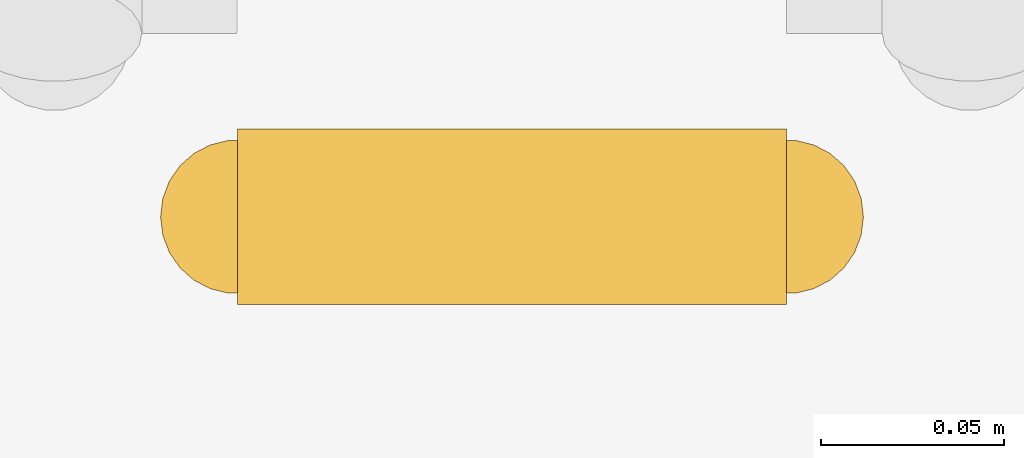
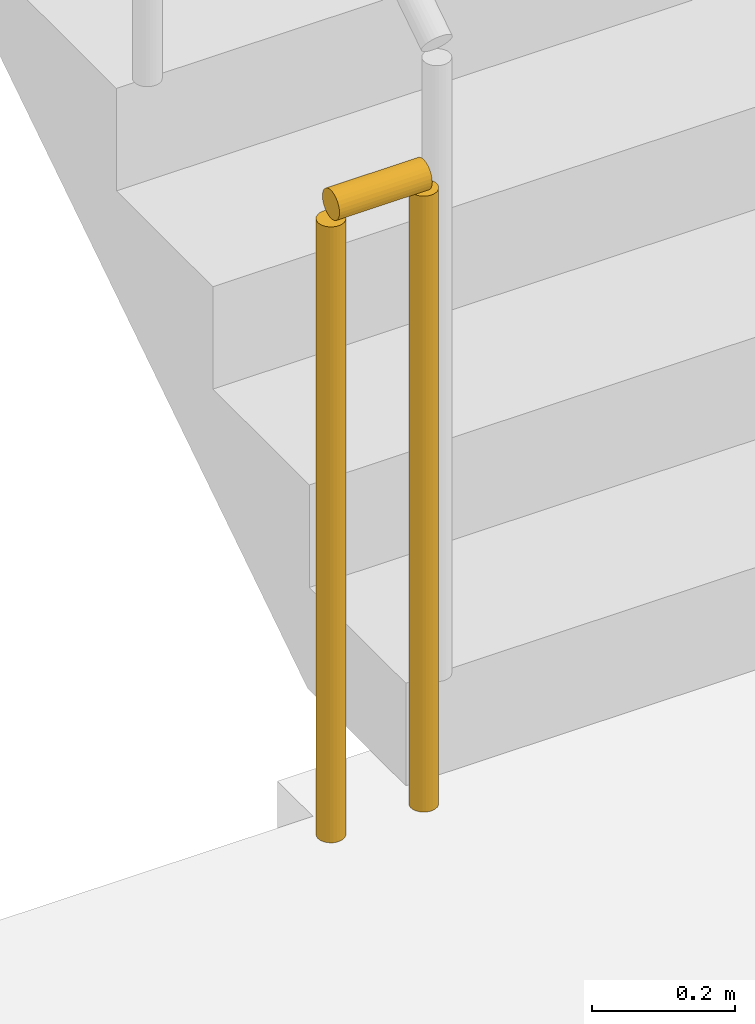
# One storey, part 15 of 20: 1 railing.
"""IFC4 building model written with IfcOpenShell, lengths in metres."""

import ifcopenshell
import ifcopenshell.guid

model = None  # the IFC model being written
_history = None  # IfcOwnerHistory: only IFC2X3 demands one
_inside = {}  # id of a spatial element -> (the spatial element, [elements in it])
_under = {}  # id of a project, library or spatial element -> (it, [spatial elements below it])
_declared = {}  # id of a project -> (the project, [libraries it declares])
_typed = {}  # id of a type object -> (the type object, [elements of that type])
_made_of = {}  # id of a material, layer set ... -> (it, [elements and type objects made of it])


def new_model(schema):
    """Start an empty IFC model of exactly this schema.

    Asked for "IFC4X3", IfcOpenShell would pick the latest addendum, in which some entities
    have other attributes; the version numbers below select the first issue.
    IFC2X3 requires an IfcOwnerHistory on every rooted entity: one is made here for all.
    """
    global model, _history
    if schema == "IFC4X3":
        model = ifcopenshell.file(schema_version=(4, 3, 0, 0))
    else:
        model = ifcopenshell.file(schema=schema)
    _inside.clear()
    _under.clear()
    _declared.clear()
    _typed.clear()
    _made_of.clear()
    _history = None
    if model.schema == "IFC2X3":
        org = make("IfcOrganization", Name="unknown")
        user = make(
            "IfcPersonAndOrganization",
            ThePerson=make("IfcPerson", FamilyName="unknown"),
            TheOrganization=org,
        )
        app = make(
            "IfcApplication",
            ApplicationDeveloper=org,
            Version="unknown",
            ApplicationFullName="unknown",
            ApplicationIdentifier="unknown",
        )
        _history = make(
            "IfcOwnerHistory",
            OwningUser=user,
            OwningApplication=app,
            ChangeAction="ADDED",
            CreationDate=0,
        )
    return model


def make(cls, **values):
    """One entity of the class cls with the attributes given. An attribute that is None is left unset."""
    return model.create_entity(
        cls, **{name: value for name, value in values.items() if value is not None}
    )


def rooted(cls, **values):
    """An entity with a GlobalId (a new one), such as an element, a storey or a relation."""
    return make(cls, GlobalId=ifcopenshell.guid.new(), OwnerHistory=_history, **values)


def si_unit(unit_type, name, prefix=None):
    """IfcSIUnit, for example si_unit("LENGTHUNIT", "METRE", prefix="MILLI")."""
    return make("IfcSIUnit", UnitType=unit_type, Prefix=prefix, Name=name)


def assignment(units):
    """IfcUnitAssignment: the units of a project."""
    return None if units is None else make("IfcUnitAssignment", Units=units)


def point(xyz):
    """IfcCartesianPoint."""
    return None if xyz is None else make("IfcCartesianPoint", Coordinates=xyz)


def direction(xyz):
    """IfcDirection."""
    return None if xyz is None else make("IfcDirection", DirectionRatios=xyz)


def frame(location, z_axis=None, x_axis=None):
    """IfcAxis2Placement3D, a coordinate frame: its origin and axes. An axis left out is left unset."""
    return make(
        "IfcAxis2Placement3D",
        Location=point(location),
        Axis=direction(z_axis),
        RefDirection=direction(x_axis),
    )


def frame_2d(location, x_axis=None):
    """IfcAxis2Placement2D, a coordinate frame in the plane: its origin and x axis."""
    return make(
        "IfcAxis2Placement2D", Location=point(location), RefDirection=direction(x_axis)
    )


def origin():
    """The frame at (0, 0, 0) with its axes left unset."""
    return frame((0.0, 0.0, 0.0))


def origin_2d():
    """The frame at (0, 0) in the plane with its x axis left unset."""
    return frame_2d((0.0, 0.0))


def place(relative_to, where):
    """IfcLocalPlacement: puts the frame where relative to a parent placement (None: the world)."""
    return make(
        "IfcLocalPlacement", PlacementRelTo=relative_to, RelativePlacement=where
    )


def context(
    kind, dimensions, precision=None, world=None, true_north=None, identifier=None
):
    """IfcGeometricRepresentationContext, for example the 3D "Model" context."""
    return make(
        "IfcGeometricRepresentationContext",
        ContextIdentifier=identifier,
        ContextType=kind,
        CoordinateSpaceDimension=dimensions,
        Precision=precision,
        WorldCoordinateSystem=world,
        TrueNorth=true_north,
    )


def subcontext(parent, identifier, kind, view, scale=None):
    """IfcGeometricRepresentationSubContext, for example "Body" below "Model"."""
    return make(
        "IfcGeometricRepresentationSubContext",
        ContextIdentifier=identifier,
        ContextType=kind,
        ParentContext=parent,
        TargetScale=scale,
        TargetView=view,
    )


def project(units=None, contexts=None):
    """IfcProject with its units and contexts."""
    return rooted(
        "IfcProject",
        Name="project",
        RepresentationContexts=contexts,
        UnitsInContext=assignment(units),
    )


def spatial(cls, under=None, at=None, **own):
    """A site, building, storey or space (cls), placed at a placement, below another one or the project."""
    s = rooted(cls, ObjectPlacement=at, **own)
    if under is not None:
        _under.setdefault(under.id(), (under, []))[1].append(s)
    return s


def profile(cls, at=None, kind="AREA", **sizes):
    """A parametric profile (cls). Its sizes go by their IFC names, for example OverallWidth=200.0."""
    return make(cls, ProfileType=kind, Position=at, **sizes)


def circle(**sizes):
    """IfcCircleProfileDef."""
    return profile("IfcCircleProfileDef", **sizes)


def extrude(swept, where, along, depth):
    """IfcExtrudedAreaSolid: the profile swept, set in the frame where, extruded along a direction by depth."""
    return make(
        "IfcExtrudedAreaSolid",
        SweptArea=swept,
        Position=where,
        ExtrudedDirection=direction(along),
        Depth=depth,
    )


def shape(context_of_items, identifier, shape_type, items):
    """IfcShapeRepresentation: the items that make up one representation, for example the "Body"."""
    return make(
        "IfcShapeRepresentation",
        ContextOfItems=context_of_items,
        RepresentationIdentifier=identifier,
        RepresentationType=shape_type,
        Items=items,
    )


def material(Name=None, Category=None):
    """IfcMaterial."""
    return make("IfcMaterial", Name=Name, Category=Category)


def made_of(thing, what):
    """Note that an element or type object is made of a material, layer set ...; save() writes the relation."""
    if what is not None:
        _made_of.setdefault(what.id(), (what, []))[1].append(thing)
    return thing


def type_object(cls, material=None, **own):
    """A type object (cls), such as IfcWallType, which elements share."""
    return made_of(rooted(cls, **own), material)


def element(
    cls,
    number,
    at=None,
    inside=None,
    cuts=None,
    type_object=None,
    material=None,
    context=None,
    identifier="Body",
    shape_type=None,
    held_by="IfcProductDefinitionShape",
    body=None,
    shapes=None,
    **own,
):
    """One element of the class cls, such as IfcWall. Its Tag is "e" and its number.

    at: its placement. inside: the storey or other place that contains it. cuts: it is an
    opening in that element (IfcRelVoidsElement). A single representation is given by context,
    identifier, shape_type and body (its items); several are given by shapes. held_by: the class
    of the entity that holds the representations. save() writes the other relations.
    """
    e = rooted(cls, Tag="e%d" % number, ObjectPlacement=at, **own)
    if body is not None:
        shapes = [shape(context, identifier, shape_type, body)]
    if shapes is not None:
        e.Representation = make(held_by, Representations=shapes)
    if inside is not None:
        _inside.setdefault(inside.id(), (inside, []))[1].append(e)
    if cuts is not None:
        rooted(
            "IfcRelVoidsElement", RelatingBuildingElement=cuts, RelatedOpeningElement=e
        )
    if type_object is not None:
        _typed.setdefault(type_object.id(), (type_object, []))[1].append(e)
    return made_of(e, material)


def aggregate(whole, parts):
    """IfcRelAggregates: a whole, such as a stair, and the parts it consists of."""
    return rooted("IfcRelAggregates", RelatingObject=whole, RelatedObjects=parts)


def save(model, path):
    """Write the relations noted so far, then the file.

    IfcRelAggregates (storeys below a building ...), IfcRelContainedInSpatialStructure (elements
    in a storey), IfcRelDefinesByType, IfcRelAssociatesMaterial and IfcRelDeclares: one each for
    every whole, place, type object, material and project.
    """
    for whole, parts in _under.values():
        aggregate(whole, parts)
    for where, things in _inside.values():
        rooted(
            "IfcRelContainedInSpatialStructure",
            RelatedElements=things,
            RelatingStructure=where,
        )
    for kind, things in _typed.values():
        rooted("IfcRelDefinesByType", RelatedObjects=things, RelatingType=kind)
    for what, things in _made_of.values():
        rooted("IfcRelAssociatesMaterial", RelatedObjects=things, RelatingMaterial=what)
    for by, libraries in _declared.values():
        rooted("IfcRelDeclares", RelatingContext=by, RelatedDefinitions=libraries)
    model.write(path)


model = new_model("IFC4")

# Units and contexts
model_context = context("Model", 3, precision=1e-05, world=origin(), true_north=direction((0.0, 1.0)))
body_context = subcontext(model_context, "Body", "Model", "MODEL_VIEW")
ifc_project = project(units=[si_unit("LENGTHUNIT", "METRE"), si_unit("AREAUNIT", "SQUARE_METRE"), si_unit("VOLUMEUNIT", "CUBIC_METRE"), si_unit("PLANEANGLEUNIT", "RADIAN"), si_unit("MASSUNIT", "GRAM", prefix="KILO")], contexts=[model_context])

# Site, building, storey
site_placement = place(None, origin())
site = spatial("IfcSite", under=ifc_project, at=site_placement, CompositionType="ELEMENT")
building_placement = place(site_placement, origin())
building = spatial("IfcBuilding", under=site, at=building_placement, Name="Saffron Iwan Residences", CompositionType="ELEMENT")
storey_placement = place(building_placement, frame((0.0, 0.0, 188.5)))
storey = spatial("IfcBuildingStorey", under=building, at=storey_placement, Name="L50", CompositionType="ELEMENT", Elevation=188.5)

# Railing
ifc_material = material(Name="Steel S355", Category="steel")
railing_type = type_object("IfcRailingType", Name="Stair guard 1100", PredefinedType="GUARDRAIL", material=ifc_material)
railing_placement = place(storey_placement, frame((31.25, 67.800048828125, 0.0)))
element("IfcRailing", 1, at=railing_placement, inside=storey, type_object=railing_type, Name="L50 ST-W stair guard 2", PredefinedType="GUARDRAIL", context=body_context, shape_type="SweptSolid", body=[
    extrude(circle(Radius=0.02392578125, at=origin_2d()), frame((0.0, 0.0, 1.076171875), z_axis=(-1.0, 0.0, 0.0), x_axis=(0.0, -1.0, 0.0)), (0.0, 0.0, 1.0), 0.14990234375),
    extrude(circle(Radius=0.02099609375, at=origin_2d()), origin(), (0.0, 0.0, 1.0), 1.052001953125),
    extrude(circle(Radius=0.02099609375, at=origin_2d()), frame((-0.14990234375, 0.0, 0.0)), (0.0, 0.0, 1.0), 1.052001953125),
])

save(model, "model.ifc")
